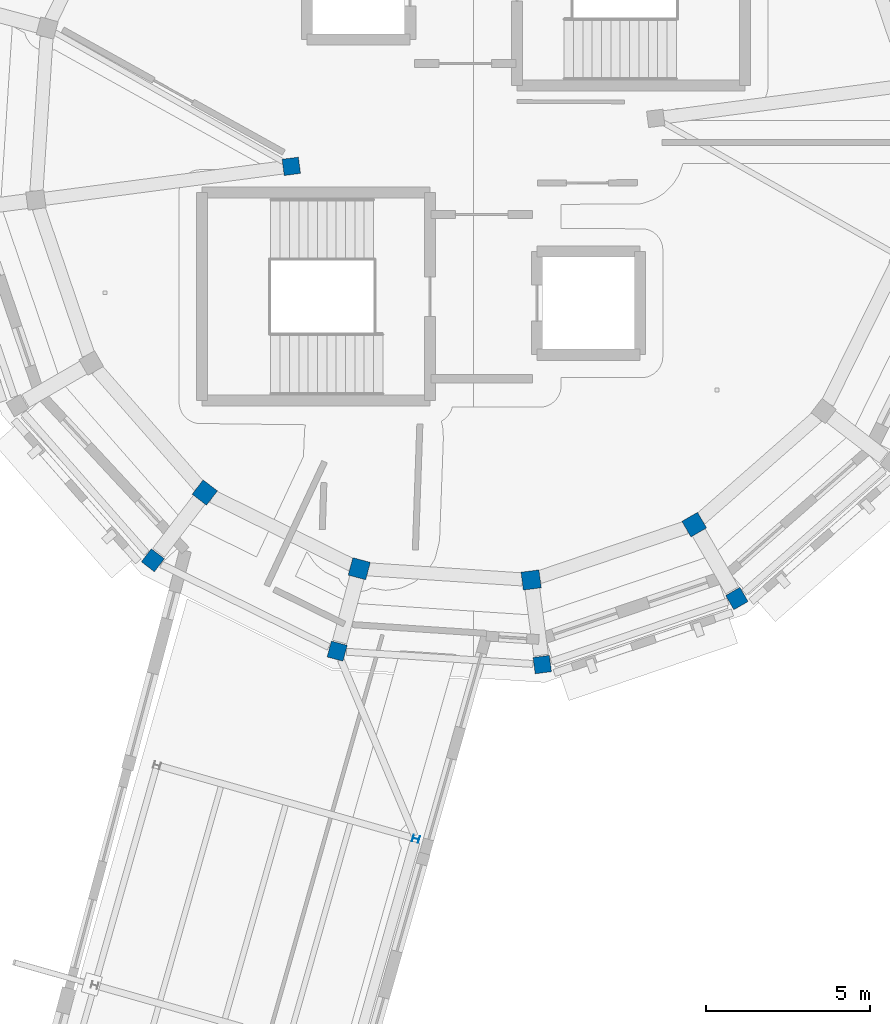
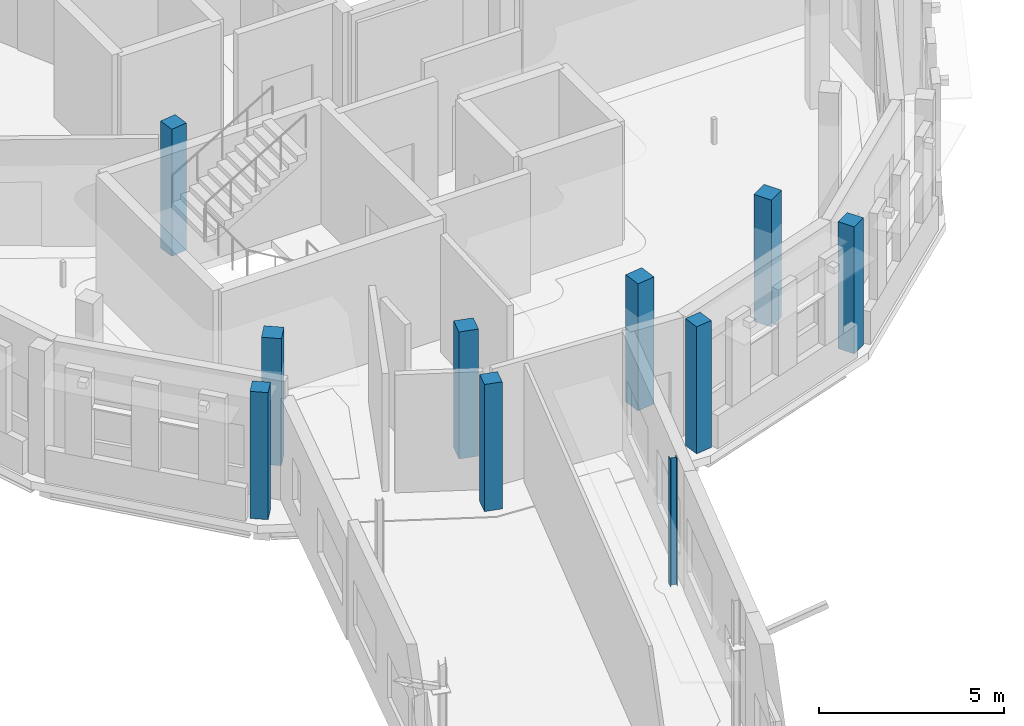
# One storey, part 18 of 90: 10 columns.
"""IFC4 building model written with IfcOpenShell, lengths in metres."""

from ifc_helpers import new_model, si_unit, direction, frame, origin, origin_2d, place, context, subcontext, project, spatial, rectangle, i_section, extrude, material, material_profile, profile_set, type_object, element, save


model = new_model("IFC4")

# Units and contexts
model_context = context("Model", 3, precision=1e-05, world=origin(), true_north=direction((0.0, 1.0)))
body_context = subcontext(model_context, "Body", "Model", "MODEL_VIEW")
ifc_project = project(units=[si_unit("LENGTHUNIT", "METRE"), si_unit("AREAUNIT", "SQUARE_METRE"), si_unit("VOLUMEUNIT", "CUBIC_METRE"), si_unit("PLANEANGLEUNIT", "RADIAN"), si_unit("MASSUNIT", "GRAM", prefix="KILO")], contexts=[model_context])

# Site, building, storey
site_placement = place(None, origin())
site = spatial("IfcSite", under=ifc_project, at=site_placement, CompositionType="ELEMENT")
building_placement = place(site_placement, origin())
building = spatial("IfcBuilding", under=site, at=building_placement, Name="Wrenclough Park School", CompositionType="ELEMENT")
storey_placement = place(building_placement, frame((0.0, 0.0, 8.39990234375)))
storey = spatial("IfcBuildingStorey", under=building, at=storey_placement, Name="L02", CompositionType="ELEMENT", Elevation=8.39990234375)

# Columns
ifc_material_1 = material(Name="Concrete C40/50", Category="concrete")
ifc_material_profile_1 = material_profile(ifc_material_1, rectangle(XDim=0.5, YDim=0.5, at=origin_2d()), Name="RC COL 500x500")
ifc_profile_set_1 = profile_set([ifc_material_profile_1], Name="Concrete C40/50")
column_type_1 = type_object("IfcColumnType", Name="STR-COL-RC500", PredefinedType="COLUMN", material=ifc_profile_set_1)
for number, where, z_axis, x_axis, name in (
    (1, (164.7294921875, 80.7666015625, 0.0), (0.0, 0.0, 1.0), (0.793353340291, -0.608761429009, 0.0), "D5 L02 column D5-OUT-11"),
    (2, (170.345947265625, 77.996826171875, 0.0), (0.0, 0.0, 1.0), (0.965925826289, -0.258819045103, 0.0), "D5 L02 column D5-OUT-12"),
    (3, (176.594970703125, 77.58740234375, 0.0), (0.0, 0.0, 1.0), (0.991444861374, 0.13052619222, 0.0), "D5 L02 column D5-OUT-13"),
    (4, (182.52490234375, 79.600341796875, 0.0), (0.0, 0.0, 1.0), (0.866025403784, 0.5, 0.0), "D5 L02 column D5-OUT-14"),
    (5, (168.947998046875, 92.76904296875, 0.0), (0.0, 0.0, 1.0), (-0.991444861374, -0.13052619222, 0.0), "D5 L02 column D5-INN-05"),
):
    element("IfcColumn", number, at=place(storey_placement, frame(where, z_axis=z_axis, x_axis=x_axis)), inside=storey, type_object=column_type_1, Name=name, PredefinedType="COLUMN", context=body_context, shape_type="SweptSolid", body=[
        extrude(rectangle(XDim=0.5, YDim=0.5, at=origin_2d()), origin(), (0.0, 0.0, 1.0), 4.2001953125),
    ])
ifc_material_profile_2 = material_profile(ifc_material_1, rectangle(XDim=0.550048828125, YDim=0.550048828125, at=origin_2d()), Name="RC COL 550x550")
ifc_profile_set_2 = profile_set([ifc_material_profile_2], Name="Concrete C40/50")
column_type_2 = type_object("IfcColumnType", Name="STR-COL-RC550", PredefinedType="COLUMN", material=ifc_profile_set_2)
for number, where, z_axis, x_axis, name in (
    (6, (166.312255859375, 82.829345703125, 0.0), (0.0, 0.0, 1.0), (0.793353340291, -0.608761429009, 0.0), "D5 L02 column D5-MID-11"),
    (7, (171.018798828125, 80.50830078125, 0.0), (0.0, 0.0, 1.0), (0.965925826289, -0.258819045103, 0.0), "D5 L02 column D5-MID-12"),
    (8, (176.255615234375, 80.1650390625, 0.0), (0.0, 0.0, 1.0), (0.991444861374, 0.13052619222, 0.0), "D5 L02 column D5-MID-13"),
    (9, (181.22509765625, 81.85205078125, 0.0), (0.0, 0.0, 1.0), (0.866025403784, 0.5, 0.0), "D5 L02 column D5-MID-14"),
):
    element("IfcColumn", number, at=place(storey_placement, frame(where, z_axis=z_axis, x_axis=x_axis)), inside=storey, type_object=column_type_2, Name=name, PredefinedType="COLUMN", context=body_context, shape_type="SweptSolid", body=[
        extrude(rectangle(XDim=0.550048828125, YDim=0.550048828125, at=origin_2d()), origin(), (0.0, 0.0, 1.0), 4.2001953125),
    ])
ifc_material_2 = material(Name="Structural steel S355", Category="steel")
ifc_material_profile_3 = material_profile(ifc_material_2, i_section(OverallWidth=0.20361328125, OverallDepth=0.203125, WebThickness=0.007080078125, FlangeThickness=0.010986328125, FilletRadius=0.01025390625, at=origin_2d()), Name="UKC 203x203x46")
ifc_profile_set_3 = profile_set([ifc_material_profile_3], Name="Structural steel S355")
column_type_3 = type_object("IfcColumnType", Name="STR-COL-UKC203A", PredefinedType="COLUMN", material=ifc_profile_set_3)
column_placement = place(storey_placement, frame((172.744384765625, 72.281494140625, 0.0), z_axis=(0.0, 0.0, 1.0), x_axis=(0.272784025857, 0.962075296033, 0.0)))
element("IfcColumn", 10, at=column_placement, inside=storey, type_object=column_type_3, Name="W14 L02 column W14-C1-R07", PredefinedType="COLUMN", context=body_context, shape_type="SweptSolid", body=[
    extrude(i_section(OverallWidth=0.20361328125, OverallDepth=0.203125, WebThickness=0.007080078125, FlangeThickness=0.010986328125, FilletRadius=0.01025390625, at=origin_2d()), origin(), (0.0, 0.0, 1.0), 4.2001953125),
])

save(model, "model.ifc")
